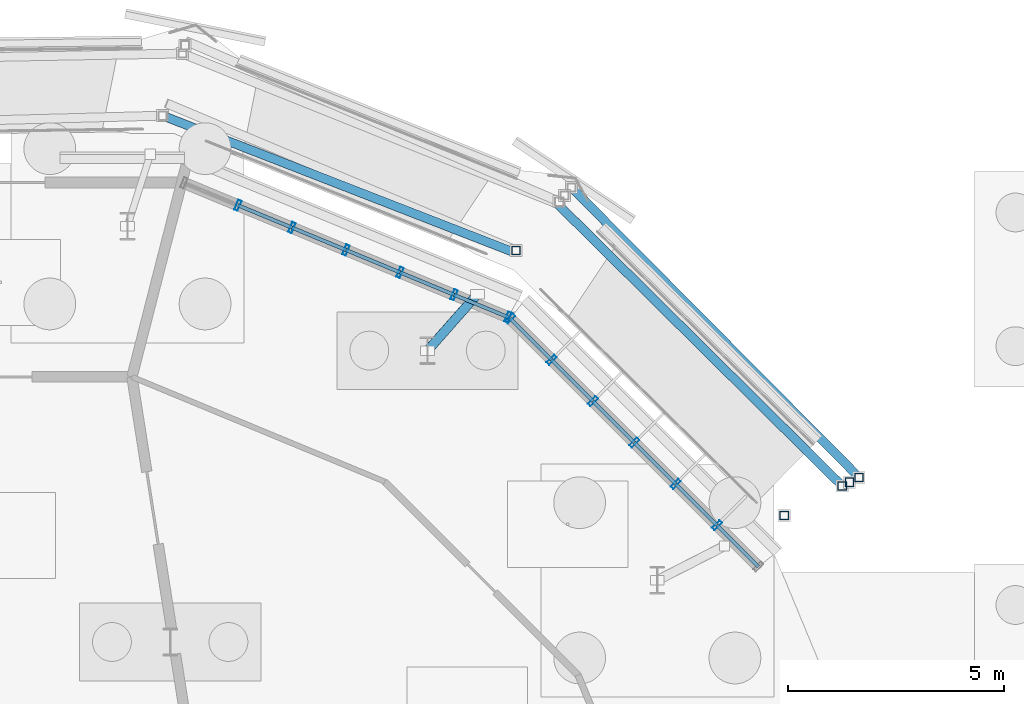
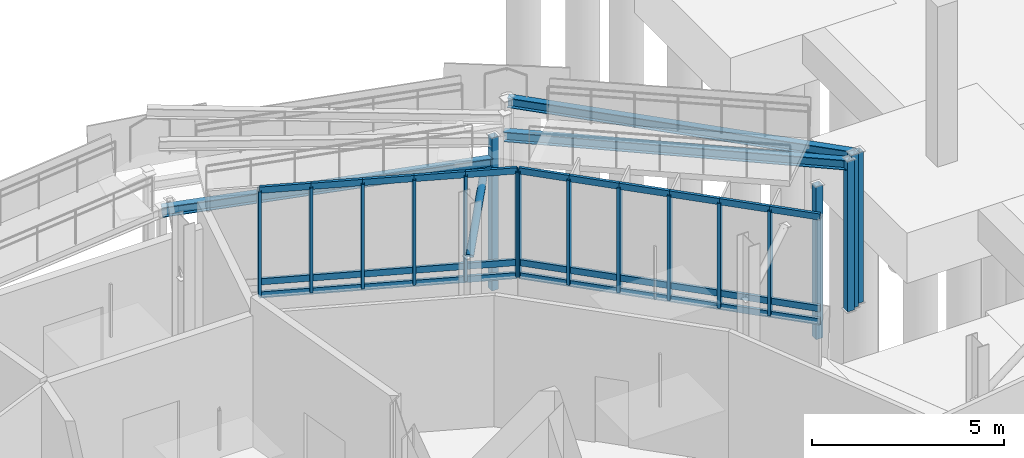
# One storey, part 54 of 119: 51 members, 3 beams, 2 elements without a shape of their own.
"""IFC4 building model written with IfcOpenShell, lengths in metres."""

from ifc_helpers import new_model, si_unit, derived_unit, direction, frame, origin, origin_2d, place, context, subcontext, project, spatial, hollow_rectangle, hollow_circle, i_section, extrude, material, layer, layer_set, material_profile, profile_set, type_object, element, aggregate, save


model = new_model("IFC4")

# Units and contexts
model_context = context("Model", 3, precision=1e-05, world=origin(), true_north=direction((0.0, 1.0)))
body_context = subcontext(model_context, "Body", "Model", "MODEL_VIEW")
ifc_project = project(units=[si_unit("LENGTHUNIT", "METRE"), si_unit("AREAUNIT", "SQUARE_METRE"), si_unit("VOLUMEUNIT", "CUBIC_METRE"), si_unit("PLANEANGLEUNIT", "RADIAN"), si_unit("MASSUNIT", "GRAM", prefix="KILO"), derived_unit("THERMALTRANSMITTANCEUNIT", [(si_unit("MASSUNIT", "GRAM", prefix="KILO"), 1), (si_unit("TIMEUNIT", "SECOND"), -3), (si_unit("THERMODYNAMICTEMPERATUREUNIT", "KELVIN"), -1)])], contexts=[model_context])

# Site, building, storey
site_placement = place(None, origin())
site = spatial("IfcSite", under=ifc_project, at=site_placement, CompositionType="ELEMENT")
building_placement = place(site_placement, origin())
building = spatial("IfcBuilding", under=site, at=building_placement, Name="Makaiwela Harbour Ferry Terminal", CompositionType="ELEMENT")
storey_placement = place(building_placement, origin())
storey = spatial("IfcBuildingStorey", under=building, at=storey_placement, Name="L00", CompositionType="ELEMENT", Elevation=0.0)

# Curtain wall, members
ifc_material_1 = material(Name="Marine anodised aluminium 6063-T6", Category="aluminium")
ifc_layer = layer(ifc_material_1, 0.199951171875)
ifc_layer_set = layer_set([ifc_layer], Name="Marine anodised aluminium 6063-T6")
curtain_wall_type = type_object("IfcCurtainWallType", Name="ENV-CW-01", PredefinedType="USERDEFINED", material=ifc_layer_set)
curtain_wall_1_placement = place(storey_placement, origin())
curtain_wall_1 = element("IfcCurtainWall", 1, at=curtain_wall_1_placement, inside=storey, type_object=curtain_wall_type, Name="Unitised Curtain Wall CWA-001", ObjectType="UNITIZED CURTAIN WALL", PredefinedType="USERDEFINED")
ifc_material_profile_1 = material_profile(ifc_material_1, hollow_rectangle(XDim=0.0849609375, YDim=0.25, WallThickness=0.0048828125, at=origin_2d()), Name="CWM-250X85")
ifc_profile_set_1 = profile_set([ifc_material_profile_1], Name="Marine anodised aluminium 6063-T6")
member_type_1 = type_object("IfcMemberType", Name="CW-MUL-250", PredefinedType="MULLION", material=ifc_profile_set_1)
member_1_placement = place(storey_placement, frame((54.531005859375, 80.0966796875, 1.47998046875), z_axis=(0.0, 0.0, 1.0), x_axis=(-0.707106781187, 0.707106781187, 0.0)))
member_1 = element("IfcMember", 2, at=member_1_placement, type_object=member_type_1, Name="Curtain Wall Mullion CWA-001-2", PredefinedType="MULLION", context=body_context, shape_type="SweptSolid", body=[
    extrude(hollow_rectangle(XDim=0.0849609375, YDim=0.25, WallThickness=0.0048828125, at=origin_2d()), origin(), (0.0, 0.0, 1.0), 3.340087890625),
])
member_2_placement = place(storey_placement, frame((53.572509765625, 81.055419921875, 1.47998046875), z_axis=(0.0, 0.0, 1.0), x_axis=(-0.707106781187, 0.707106781187, 0.0)))
member_2 = element("IfcMember", 3, at=member_2_placement, type_object=member_type_1, Name="Curtain Wall Mullion CWA-001-3", PredefinedType="MULLION", context=body_context, shape_type="SweptSolid", body=[
    extrude(hollow_rectangle(XDim=0.0849609375, YDim=0.25, WallThickness=0.0048828125, at=origin_2d()), origin(), (0.0, 0.0, 1.0), 3.340087890625),
])
member_3_placement = place(storey_placement, frame((52.614013671875, 82.013916015625, 1.47998046875), z_axis=(0.0, 0.0, 1.0), x_axis=(-0.707106781187, 0.707106781187, 0.0)))
member_3 = element("IfcMember", 4, at=member_3_placement, type_object=member_type_1, Name="Curtain Wall Mullion CWA-001-4", PredefinedType="MULLION", context=body_context, shape_type="SweptSolid", body=[
    extrude(hollow_rectangle(XDim=0.0849609375, YDim=0.25, WallThickness=0.0048828125, at=origin_2d()), origin(), (0.0, 0.0, 1.0), 3.340087890625),
])
member_4_placement = place(storey_placement, frame((51.655517578125, 82.972412109375, 1.47998046875), z_axis=(0.0, 0.0, 1.0), x_axis=(-0.707106781187, 0.707106781187, 0.0)))
member_4 = element("IfcMember", 5, at=member_4_placement, type_object=member_type_1, Name="Curtain Wall Mullion CWA-001-5", PredefinedType="MULLION", context=body_context, shape_type="SweptSolid", body=[
    extrude(hollow_rectangle(XDim=0.0849609375, YDim=0.25, WallThickness=0.0048828125, at=origin_2d()), origin(), (0.0, 0.0, 1.0), 3.340087890625),
])
member_5_placement = place(storey_placement, frame((50.69677734375, 83.93115234375, 1.47998046875), z_axis=(0.0, 0.0, 1.0), x_axis=(-0.707106781187, 0.707106781187, 0.0)))
member_5 = element("IfcMember", 6, at=member_5_placement, type_object=member_type_1, Name="Curtain Wall Mullion CWA-001-6", PredefinedType="MULLION", context=body_context, shape_type="SweptSolid", body=[
    extrude(hollow_rectangle(XDim=0.0849609375, YDim=0.25, WallThickness=0.0048828125, at=origin_2d()), origin(), (0.0, 0.0, 1.0), 3.340087890625),
])
member_6_placement = place(storey_placement, frame((49.73828125, 84.8896484375, 1.47998046875), z_axis=(0.0, 0.0, 1.0), x_axis=(-0.707106781187, 0.707106781187, 0.0)))
member_6 = element("IfcMember", 7, at=member_6_placement, type_object=member_type_1, Name="Curtain Wall Mullion CWA-001-7", PredefinedType="MULLION", context=body_context, shape_type="SweptSolid", body=[
    extrude(hollow_rectangle(XDim=0.0849609375, YDim=0.25, WallThickness=0.0048828125, at=origin_2d()), origin(), (0.0, 0.0, 1.0), 3.340087890625),
])

curtain_wall_2_placement = place(storey_placement, origin())
curtain_wall_2 = element("IfcCurtainWall", 8, at=curtain_wall_2_placement, inside=storey, type_object=curtain_wall_type, Name="Unitised Curtain Wall CWA-002", ObjectType="UNITIZED CURTAIN WALL", PredefinedType="USERDEFINED")
member_7_placement = place(storey_placement, frame((49.689208984375, 84.92236328125, 1.47998046875), z_axis=(0.0, 0.0, 1.0), x_axis=(-0.923879532511, 0.382683432365, 0.0)))
member_7 = element("IfcMember", 9, at=member_7_placement, type_object=member_type_1, Name="Curtain Wall Mullion CWA-002-1", PredefinedType="MULLION", context=body_context, shape_type="SweptSolid", body=[
    extrude(hollow_rectangle(XDim=0.0849609375, YDim=0.25, WallThickness=0.0048828125, at=origin_2d()), origin(), (0.0, 0.0, 1.0), 3.340087890625),
])
member_8_placement = place(storey_placement, frame((48.436767578125, 85.441162109375, 1.47998046875), z_axis=(0.0, 0.0, 1.0), x_axis=(-0.923879532511, 0.382683432365, 0.0)))
member_8 = element("IfcMember", 10, at=member_8_placement, type_object=member_type_1, Name="Curtain Wall Mullion CWA-002-2", PredefinedType="MULLION", context=body_context, shape_type="SweptSolid", body=[
    extrude(hollow_rectangle(XDim=0.0849609375, YDim=0.25, WallThickness=0.0048828125, at=origin_2d()), origin(), (0.0, 0.0, 1.0), 3.340087890625),
])
member_9_placement = place(storey_placement, frame((47.184326171875, 85.9599609375, 1.47998046875), z_axis=(0.0, 0.0, 1.0), x_axis=(-0.923879532511, 0.382683432365, 0.0)))
member_9 = element("IfcMember", 11, at=member_9_placement, type_object=member_type_1, Name="Curtain Wall Mullion CWA-002-3", PredefinedType="MULLION", context=body_context, shape_type="SweptSolid", body=[
    extrude(hollow_rectangle(XDim=0.0849609375, YDim=0.25, WallThickness=0.0048828125, at=origin_2d()), origin(), (0.0, 0.0, 1.0), 3.340087890625),
])
member_10_placement = place(storey_placement, frame((45.931884765625, 86.478759765625, 1.47998046875), z_axis=(0.0, 0.0, 1.0), x_axis=(-0.923879532511, 0.382683432365, 0.0)))
member_10 = element("IfcMember", 12, at=member_10_placement, type_object=member_type_1, Name="Curtain Wall Mullion CWA-002-4", PredefinedType="MULLION", context=body_context, shape_type="SweptSolid", body=[
    extrude(hollow_rectangle(XDim=0.0849609375, YDim=0.25, WallThickness=0.0048828125, at=origin_2d()), origin(), (0.0, 0.0, 1.0), 3.340087890625),
])
member_11_placement = place(storey_placement, frame((44.679443359375, 86.99755859375, 1.47998046875), z_axis=(0.0, 0.0, 1.0), x_axis=(-0.923879532511, 0.382683432365, 0.0)))
member_11 = element("IfcMember", 13, at=member_11_placement, type_object=member_type_1, Name="Curtain Wall Mullion CWA-002-5", PredefinedType="MULLION", context=body_context, shape_type="SweptSolid", body=[
    extrude(hollow_rectangle(XDim=0.0849609375, YDim=0.25, WallThickness=0.0048828125, at=origin_2d()), origin(), (0.0, 0.0, 1.0), 3.340087890625),
])
member_12_placement = place(storey_placement, frame((43.427001953125, 87.51611328125, 1.47998046875), z_axis=(0.0, 0.0, 1.0), x_axis=(-0.923879532511, 0.382683432365, 0.0)))
member_12 = element("IfcMember", 14, at=member_12_placement, type_object=member_type_1, Name="Curtain Wall Mullion CWA-002-6", PredefinedType="MULLION", context=body_context, shape_type="SweptSolid", body=[
    extrude(hollow_rectangle(XDim=0.0849609375, YDim=0.25, WallThickness=0.0048828125, at=origin_2d()), origin(), (0.0, 0.0, 1.0), 3.340087890625),
])

# Member
ifc_material_profile_2 = material_profile(ifc_material_1, hollow_rectangle(XDim=0.0849609375, YDim=0.199951171875, WallThickness=0.0048828125, at=origin_2d()), Name="CWT-200X85")
ifc_profile_set_2 = profile_set([ifc_material_profile_2], Name="Marine anodised aluminium 6063-T6")
member_type_2 = type_object("IfcMemberType", Name="CW-TRN-200", PredefinedType="USERDEFINED", material=ifc_profile_set_2)
member_13_placement = place(storey_placement, frame((55.48974609375, 79.13818359375, 1.47998046875), z_axis=(-0.707196818338, 0.707016732569, 0.0), x_axis=(-0.707016732569, -0.707196818338, 0.0)))
member_13 = element("IfcMember", 15, at=member_13_placement, type_object=member_type_2, Name="Curtain Wall Transom CWA-001-1-1", ObjectType="TRANSOM", PredefinedType="USERDEFINED", context=body_context, shape_type="SweptSolid", body=[
    extrude(hollow_rectangle(XDim=0.0849609375, YDim=0.199951171875, WallThickness=0.0048828125, at=origin_2d()), origin(), (0.0, 0.0, 1.0), 1.355712890625),
])

member_14_placement = place(storey_placement, frame((55.48974609375, 79.13818359375, 1.89990234375), z_axis=(-0.707196818338, 0.707016732569, 0.0), x_axis=(-0.707016732569, -0.707196818338, 0.0)))
member_14 = element("IfcMember", 16, at=member_14_placement, type_object=member_type_2, Name="Curtain Wall Transom CWA-001-1-2", ObjectType="TRANSOM", PredefinedType="USERDEFINED", context=body_context, shape_type="SweptSolid", body=[
    extrude(hollow_rectangle(XDim=0.0849609375, YDim=0.199951171875, WallThickness=0.0048828125, at=origin_2d()), origin(), (0.0, 0.0, 1.0), 1.355712890625),
])

member_15_placement = place(storey_placement, frame((55.48974609375, 79.13818359375, 4.820068359375), z_axis=(-0.707196818338, 0.707016732569, 0.0), x_axis=(-0.707016732569, -0.707196818338, 0.0)))
member_15 = element("IfcMember", 17, at=member_15_placement, type_object=member_type_2, Name="Curtain Wall Transom CWA-001-1-3", ObjectType="TRANSOM", PredefinedType="USERDEFINED", context=body_context, shape_type="SweptSolid", body=[
    extrude(hollow_rectangle(XDim=0.0849609375, YDim=0.199951171875, WallThickness=0.0048828125, at=origin_2d()), origin(), (0.0, 0.0, 1.0), 1.355712890625),
])

member_16_placement = place(storey_placement, frame((54.531005859375, 80.0966796875, 1.47998046875), z_axis=(-0.707016732569, 0.707196818338, 0.0), x_axis=(-0.707196818338, -0.707016732569, 0.0)))
member_16 = element("IfcMember", 18, at=member_16_placement, type_object=member_type_2, Name="Curtain Wall Transom CWA-001-2-1", ObjectType="TRANSOM", PredefinedType="USERDEFINED", context=body_context, shape_type="SweptSolid", body=[
    extrude(hollow_rectangle(XDim=0.0849609375, YDim=0.199951171875, WallThickness=0.0048828125, at=origin_2d()), origin(), (0.0, 0.0, 1.0), 1.355712890625),
])

member_17_placement = place(storey_placement, frame((54.531005859375, 80.0966796875, 1.89990234375), z_axis=(-0.707016732569, 0.707196818338, 0.0), x_axis=(-0.707196818338, -0.707016732569, 0.0)))
member_17 = element("IfcMember", 19, at=member_17_placement, type_object=member_type_2, Name="Curtain Wall Transom CWA-001-2-2", ObjectType="TRANSOM", PredefinedType="USERDEFINED", context=body_context, shape_type="SweptSolid", body=[
    extrude(hollow_rectangle(XDim=0.0849609375, YDim=0.199951171875, WallThickness=0.0048828125, at=origin_2d()), origin(), (0.0, 0.0, 1.0), 1.355712890625),
])

member_18_placement = place(storey_placement, frame((54.531005859375, 80.0966796875, 4.820068359375), z_axis=(-0.707016732569, 0.707196818338, 0.0), x_axis=(-0.707196818338, -0.707016732569, 0.0)))
member_18 = element("IfcMember", 20, at=member_18_placement, type_object=member_type_2, Name="Curtain Wall Transom CWA-001-2-3", ObjectType="TRANSOM", PredefinedType="USERDEFINED", context=body_context, shape_type="SweptSolid", body=[
    extrude(hollow_rectangle(XDim=0.0849609375, YDim=0.199951171875, WallThickness=0.0048828125, at=origin_2d()), origin(), (0.0, 0.0, 1.0), 1.355712890625),
])

member_19_placement = place(storey_placement, frame((53.572509765625, 81.055419921875, 1.47998046875), z_axis=(-0.707106781187, 0.707106781187, 0.0), x_axis=(-0.707106781187, -0.707106781187, 0.0)))
member_19 = element("IfcMember", 21, at=member_19_placement, type_object=member_type_2, Name="Curtain Wall Transom CWA-001-3-1", ObjectType="TRANSOM", PredefinedType="USERDEFINED", context=body_context, shape_type="SweptSolid", body=[
    extrude(hollow_rectangle(XDim=0.0849609375, YDim=0.199951171875, WallThickness=0.0048828125, at=origin_2d()), origin(), (0.0, 0.0, 1.0), 1.35546875),
])

member_20_placement = place(storey_placement, frame((53.572509765625, 81.055419921875, 1.89990234375), z_axis=(-0.707106781187, 0.707106781187, 0.0), x_axis=(-0.707106781187, -0.707106781187, 0.0)))
member_20 = element("IfcMember", 22, at=member_20_placement, type_object=member_type_2, Name="Curtain Wall Transom CWA-001-3-2", ObjectType="TRANSOM", PredefinedType="USERDEFINED", context=body_context, shape_type="SweptSolid", body=[
    extrude(hollow_rectangle(XDim=0.0849609375, YDim=0.199951171875, WallThickness=0.0048828125, at=origin_2d()), origin(), (0.0, 0.0, 1.0), 1.35546875),
])

member_21_placement = place(storey_placement, frame((53.572509765625, 81.055419921875, 4.820068359375), z_axis=(-0.707106781187, 0.707106781187, 0.0), x_axis=(-0.707106781187, -0.707106781187, 0.0)))
member_21 = element("IfcMember", 23, at=member_21_placement, type_object=member_type_2, Name="Curtain Wall Transom CWA-001-3-3", ObjectType="TRANSOM", PredefinedType="USERDEFINED", context=body_context, shape_type="SweptSolid", body=[
    extrude(hollow_rectangle(XDim=0.0849609375, YDim=0.199951171875, WallThickness=0.0048828125, at=origin_2d()), origin(), (0.0, 0.0, 1.0), 1.35546875),
])

member_22_placement = place(storey_placement, frame((52.614013671875, 82.013916015625, 1.47998046875), z_axis=(-0.707106781187, 0.707106781187, 0.0), x_axis=(-0.707106781187, -0.707106781187, 0.0)))
member_22 = element("IfcMember", 24, at=member_22_placement, type_object=member_type_2, Name="Curtain Wall Transom CWA-001-4-1", ObjectType="TRANSOM", PredefinedType="USERDEFINED", context=body_context, shape_type="SweptSolid", body=[
    extrude(hollow_rectangle(XDim=0.0849609375, YDim=0.199951171875, WallThickness=0.0048828125, at=origin_2d()), origin(), (0.0, 0.0, 1.0), 1.35546875),
])

member_23_placement = place(storey_placement, frame((52.614013671875, 82.013916015625, 1.89990234375), z_axis=(-0.707106781187, 0.707106781187, 0.0), x_axis=(-0.707106781187, -0.707106781187, 0.0)))
member_23 = element("IfcMember", 25, at=member_23_placement, type_object=member_type_2, Name="Curtain Wall Transom CWA-001-4-2", ObjectType="TRANSOM", PredefinedType="USERDEFINED", context=body_context, shape_type="SweptSolid", body=[
    extrude(hollow_rectangle(XDim=0.0849609375, YDim=0.199951171875, WallThickness=0.0048828125, at=origin_2d()), origin(), (0.0, 0.0, 1.0), 1.35546875),
])

member_24_placement = place(storey_placement, frame((52.614013671875, 82.013916015625, 4.820068359375), z_axis=(-0.707106781187, 0.707106781187, 0.0), x_axis=(-0.707106781187, -0.707106781187, 0.0)))
member_24 = element("IfcMember", 26, at=member_24_placement, type_object=member_type_2, Name="Curtain Wall Transom CWA-001-4-3", ObjectType="TRANSOM", PredefinedType="USERDEFINED", context=body_context, shape_type="SweptSolid", body=[
    extrude(hollow_rectangle(XDim=0.0849609375, YDim=0.199951171875, WallThickness=0.0048828125, at=origin_2d()), origin(), (0.0, 0.0, 1.0), 1.35546875),
])

member_25_placement = place(storey_placement, frame((51.655517578125, 82.972412109375, 1.47998046875), z_axis=(-0.707106781187, 0.707106781187, 0.0), x_axis=(-0.707106781187, -0.707106781187, 0.0)))
member_25 = element("IfcMember", 27, at=member_25_placement, type_object=member_type_2, Name="Curtain Wall Transom CWA-001-5-1", ObjectType="TRANSOM", PredefinedType="USERDEFINED", context=body_context, shape_type="SweptSolid", body=[
    extrude(hollow_rectangle(XDim=0.0849609375, YDim=0.199951171875, WallThickness=0.0048828125, at=origin_2d()), origin(), (0.0, 0.0, 1.0), 1.35595703125),
])

member_26_placement = place(storey_placement, frame((51.655517578125, 82.972412109375, 1.89990234375), z_axis=(-0.707106781187, 0.707106781187, 0.0), x_axis=(-0.707106781187, -0.707106781187, 0.0)))
member_26 = element("IfcMember", 28, at=member_26_placement, type_object=member_type_2, Name="Curtain Wall Transom CWA-001-5-2", ObjectType="TRANSOM", PredefinedType="USERDEFINED", context=body_context, shape_type="SweptSolid", body=[
    extrude(hollow_rectangle(XDim=0.0849609375, YDim=0.199951171875, WallThickness=0.0048828125, at=origin_2d()), origin(), (0.0, 0.0, 1.0), 1.35595703125),
])

member_27_placement = place(storey_placement, frame((51.655517578125, 82.972412109375, 4.820068359375), z_axis=(-0.707106781187, 0.707106781187, 0.0), x_axis=(-0.707106781187, -0.707106781187, 0.0)))
member_27 = element("IfcMember", 29, at=member_27_placement, type_object=member_type_2, Name="Curtain Wall Transom CWA-001-5-3", ObjectType="TRANSOM", PredefinedType="USERDEFINED", context=body_context, shape_type="SweptSolid", body=[
    extrude(hollow_rectangle(XDim=0.0849609375, YDim=0.199951171875, WallThickness=0.0048828125, at=origin_2d()), origin(), (0.0, 0.0, 1.0), 1.35595703125),
])

member_28_placement = place(storey_placement, frame((50.69677734375, 83.93115234375, 1.47998046875), z_axis=(-0.707106781187, 0.707106781187, 0.0), x_axis=(-0.707106781187, -0.707106781187, 0.0)))
member_28 = element("IfcMember", 30, at=member_28_placement, type_object=member_type_2, Name="Curtain Wall Transom CWA-001-6-1", ObjectType="TRANSOM", PredefinedType="USERDEFINED", context=body_context, shape_type="SweptSolid", body=[
    extrude(hollow_rectangle(XDim=0.0849609375, YDim=0.199951171875, WallThickness=0.0048828125, at=origin_2d()), origin(), (0.0, 0.0, 1.0), 1.35546875),
])

member_29_placement = place(storey_placement, frame((50.69677734375, 83.93115234375, 1.89990234375), z_axis=(-0.707106781187, 0.707106781187, 0.0), x_axis=(-0.707106781187, -0.707106781187, 0.0)))
member_29 = element("IfcMember", 31, at=member_29_placement, type_object=member_type_2, Name="Curtain Wall Transom CWA-001-6-2", ObjectType="TRANSOM", PredefinedType="USERDEFINED", context=body_context, shape_type="SweptSolid", body=[
    extrude(hollow_rectangle(XDim=0.0849609375, YDim=0.199951171875, WallThickness=0.0048828125, at=origin_2d()), origin(), (0.0, 0.0, 1.0), 1.35546875),
])

member_30_placement = place(storey_placement, frame((50.69677734375, 83.93115234375, 4.820068359375), z_axis=(-0.707106781187, 0.707106781187, 0.0), x_axis=(-0.707106781187, -0.707106781187, 0.0)))
member_30 = element("IfcMember", 32, at=member_30_placement, type_object=member_type_2, Name="Curtain Wall Transom CWA-001-6-3", ObjectType="TRANSOM", PredefinedType="USERDEFINED", context=body_context, shape_type="SweptSolid", body=[
    extrude(hollow_rectangle(XDim=0.0849609375, YDim=0.199951171875, WallThickness=0.0048828125, at=origin_2d()), origin(), (0.0, 0.0, 1.0), 1.35546875),
])

aggregate(curtain_wall_1, [member_1, member_2, member_3, member_4, member_5, member_6, member_13, member_14, member_15, member_16, member_17, member_18, member_19, member_20, member_21, member_22, member_23, member_24, member_25, member_26, member_27, member_28, member_29, member_30])

member_31_placement = place(storey_placement, frame((49.689208984375, 84.92236328125, 1.47998046875), z_axis=(-0.923874156886, 0.382696410016, 0.0), x_axis=(-0.382696410016, -0.923874156886, 0.0)))
member_31 = element("IfcMember", 33, at=member_31_placement, type_object=member_type_2, Name="Curtain Wall Transom CWA-002-1-1", ObjectType="TRANSOM", PredefinedType="USERDEFINED", context=body_context, shape_type="SweptSolid", body=[
    extrude(hollow_rectangle(XDim=0.0849609375, YDim=0.199951171875, WallThickness=0.0048828125, at=origin_2d()), origin(), (0.0, 0.0, 1.0), 1.355712890625),
])

member_32_placement = place(storey_placement, frame((49.689208984375, 84.92236328125, 1.89990234375), z_axis=(-0.923874156886, 0.382696410016, 0.0), x_axis=(-0.382696410016, -0.923874156886, 0.0)))
member_32 = element("IfcMember", 34, at=member_32_placement, type_object=member_type_2, Name="Curtain Wall Transom CWA-002-1-2", ObjectType="TRANSOM", PredefinedType="USERDEFINED", context=body_context, shape_type="SweptSolid", body=[
    extrude(hollow_rectangle(XDim=0.0849609375, YDim=0.199951171875, WallThickness=0.0048828125, at=origin_2d()), origin(), (0.0, 0.0, 1.0), 1.355712890625),
])

member_33_placement = place(storey_placement, frame((49.689208984375, 84.92236328125, 4.820068359375), z_axis=(-0.923874156886, 0.382696410016, 0.0), x_axis=(-0.382696410016, -0.923874156886, 0.0)))
member_33 = element("IfcMember", 35, at=member_33_placement, type_object=member_type_2, Name="Curtain Wall Transom CWA-002-1-3", ObjectType="TRANSOM", PredefinedType="USERDEFINED", context=body_context, shape_type="SweptSolid", body=[
    extrude(hollow_rectangle(XDim=0.0849609375, YDim=0.199951171875, WallThickness=0.0048828125, at=origin_2d()), origin(), (0.0, 0.0, 1.0), 1.355712890625),
])

member_34_placement = place(storey_placement, frame((48.436767578125, 85.441162109375, 1.47998046875), z_axis=(-0.923874156886, 0.382696410016, 0.0), x_axis=(-0.382696410016, -0.923874156886, 0.0)))
member_34 = element("IfcMember", 36, at=member_34_placement, type_object=member_type_2, Name="Curtain Wall Transom CWA-002-2-1", ObjectType="TRANSOM", PredefinedType="USERDEFINED", context=body_context, shape_type="SweptSolid", body=[
    extrude(hollow_rectangle(XDim=0.0849609375, YDim=0.199951171875, WallThickness=0.0048828125, at=origin_2d()), origin(), (0.0, 0.0, 1.0), 1.355712890625),
])

member_35_placement = place(storey_placement, frame((48.436767578125, 85.441162109375, 1.89990234375), z_axis=(-0.923874156886, 0.382696410016, 0.0), x_axis=(-0.382696410016, -0.923874156886, 0.0)))
member_35 = element("IfcMember", 37, at=member_35_placement, type_object=member_type_2, Name="Curtain Wall Transom CWA-002-2-2", ObjectType="TRANSOM", PredefinedType="USERDEFINED", context=body_context, shape_type="SweptSolid", body=[
    extrude(hollow_rectangle(XDim=0.0849609375, YDim=0.199951171875, WallThickness=0.0048828125, at=origin_2d()), origin(), (0.0, 0.0, 1.0), 1.355712890625),
])

member_36_placement = place(storey_placement, frame((48.436767578125, 85.441162109375, 4.820068359375), z_axis=(-0.923874156886, 0.382696410016, 0.0), x_axis=(-0.382696410016, -0.923874156886, 0.0)))
member_36 = element("IfcMember", 38, at=member_36_placement, type_object=member_type_2, Name="Curtain Wall Transom CWA-002-2-3", ObjectType="TRANSOM", PredefinedType="USERDEFINED", context=body_context, shape_type="SweptSolid", body=[
    extrude(hollow_rectangle(XDim=0.0849609375, YDim=0.199951171875, WallThickness=0.0048828125, at=origin_2d()), origin(), (0.0, 0.0, 1.0), 1.355712890625),
])

member_37_placement = place(storey_placement, frame((47.184326171875, 85.9599609375, 1.47998046875), z_axis=(-0.923874156886, 0.382696410016, 0.0), x_axis=(-0.382696410016, -0.923874156886, 0.0)))
member_37 = element("IfcMember", 39, at=member_37_placement, type_object=member_type_2, Name="Curtain Wall Transom CWA-002-3-1", ObjectType="TRANSOM", PredefinedType="USERDEFINED", context=body_context, shape_type="SweptSolid", body=[
    extrude(hollow_rectangle(XDim=0.0849609375, YDim=0.199951171875, WallThickness=0.0048828125, at=origin_2d()), origin(), (0.0, 0.0, 1.0), 1.355712890625),
])

member_38_placement = place(storey_placement, frame((47.184326171875, 85.9599609375, 1.89990234375), z_axis=(-0.923874156886, 0.382696410016, 0.0), x_axis=(-0.382696410016, -0.923874156886, 0.0)))
member_38 = element("IfcMember", 40, at=member_38_placement, type_object=member_type_2, Name="Curtain Wall Transom CWA-002-3-2", ObjectType="TRANSOM", PredefinedType="USERDEFINED", context=body_context, shape_type="SweptSolid", body=[
    extrude(hollow_rectangle(XDim=0.0849609375, YDim=0.199951171875, WallThickness=0.0048828125, at=origin_2d()), origin(), (0.0, 0.0, 1.0), 1.355712890625),
])

member_39_placement = place(storey_placement, frame((47.184326171875, 85.9599609375, 4.820068359375), z_axis=(-0.923874156886, 0.382696410016, 0.0), x_axis=(-0.382696410016, -0.923874156886, 0.0)))
member_39 = element("IfcMember", 41, at=member_39_placement, type_object=member_type_2, Name="Curtain Wall Transom CWA-002-3-3", ObjectType="TRANSOM", PredefinedType="USERDEFINED", context=body_context, shape_type="SweptSolid", body=[
    extrude(hollow_rectangle(XDim=0.0849609375, YDim=0.199951171875, WallThickness=0.0048828125, at=origin_2d()), origin(), (0.0, 0.0, 1.0), 1.355712890625),
])

member_40_placement = place(storey_placement, frame((45.931884765625, 86.478759765625, 1.47998046875), z_axis=(-0.923874156886, 0.382696410016, 0.0), x_axis=(-0.382696410016, -0.923874156886, 0.0)))
member_40 = element("IfcMember", 42, at=member_40_placement, type_object=member_type_2, Name="Curtain Wall Transom CWA-002-4-1", ObjectType="TRANSOM", PredefinedType="USERDEFINED", context=body_context, shape_type="SweptSolid", body=[
    extrude(hollow_rectangle(XDim=0.0849609375, YDim=0.199951171875, WallThickness=0.0048828125, at=origin_2d()), origin(), (0.0, 0.0, 1.0), 1.355712890625),
])

member_41_placement = place(storey_placement, frame((45.931884765625, 86.478759765625, 1.89990234375), z_axis=(-0.923874156886, 0.382696410016, 0.0), x_axis=(-0.382696410016, -0.923874156886, 0.0)))
member_41 = element("IfcMember", 43, at=member_41_placement, type_object=member_type_2, Name="Curtain Wall Transom CWA-002-4-2", ObjectType="TRANSOM", PredefinedType="USERDEFINED", context=body_context, shape_type="SweptSolid", body=[
    extrude(hollow_rectangle(XDim=0.0849609375, YDim=0.199951171875, WallThickness=0.0048828125, at=origin_2d()), origin(), (0.0, 0.0, 1.0), 1.355712890625),
])

member_42_placement = place(storey_placement, frame((45.931884765625, 86.478759765625, 4.820068359375), z_axis=(-0.923874156886, 0.382696410016, 0.0), x_axis=(-0.382696410016, -0.923874156886, 0.0)))
member_42 = element("IfcMember", 44, at=member_42_placement, type_object=member_type_2, Name="Curtain Wall Transom CWA-002-4-3", ObjectType="TRANSOM", PredefinedType="USERDEFINED", context=body_context, shape_type="SweptSolid", body=[
    extrude(hollow_rectangle(XDim=0.0849609375, YDim=0.199951171875, WallThickness=0.0048828125, at=origin_2d()), origin(), (0.0, 0.0, 1.0), 1.355712890625),
])

member_43_placement = place(storey_placement, frame((44.679443359375, 86.99755859375, 1.47998046875), z_axis=(-0.923937822561, 0.382542677411, 0.0), x_axis=(-0.382542677411, -0.923937822561, 0.0)))
member_43 = element("IfcMember", 45, at=member_43_placement, type_object=member_type_2, Name="Curtain Wall Transom CWA-002-5-1", ObjectType="TRANSOM", PredefinedType="USERDEFINED", context=body_context, shape_type="SweptSolid", body=[
    extrude(hollow_rectangle(XDim=0.0849609375, YDim=0.199951171875, WallThickness=0.0048828125, at=origin_2d()), origin(), (0.0, 0.0, 1.0), 1.35546875),
])

member_44_placement = place(storey_placement, frame((44.679443359375, 86.99755859375, 1.89990234375), z_axis=(-0.923937822561, 0.382542677411, 0.0), x_axis=(-0.382542677411, -0.923937822561, 0.0)))
member_44 = element("IfcMember", 46, at=member_44_placement, type_object=member_type_2, Name="Curtain Wall Transom CWA-002-5-2", ObjectType="TRANSOM", PredefinedType="USERDEFINED", context=body_context, shape_type="SweptSolid", body=[
    extrude(hollow_rectangle(XDim=0.0849609375, YDim=0.199951171875, WallThickness=0.0048828125, at=origin_2d()), origin(), (0.0, 0.0, 1.0), 1.35546875),
])

member_45_placement = place(storey_placement, frame((44.679443359375, 86.99755859375, 4.820068359375), z_axis=(-0.923937822561, 0.382542677411, 0.0), x_axis=(-0.382542677411, -0.923937822561, 0.0)))
member_45 = element("IfcMember", 47, at=member_45_placement, type_object=member_type_2, Name="Curtain Wall Transom CWA-002-5-3", ObjectType="TRANSOM", PredefinedType="USERDEFINED", context=body_context, shape_type="SweptSolid", body=[
    extrude(hollow_rectangle(XDim=0.0849609375, YDim=0.199951171875, WallThickness=0.0048828125, at=origin_2d()), origin(), (0.0, 0.0, 1.0), 1.35546875),
])

aggregate(curtain_wall_2, [member_7, member_8, member_9, member_10, member_11, member_12, member_31, member_32, member_33, member_34, member_35, member_36, member_37, member_38, member_39, member_40, member_41, member_42, member_43, member_44, member_45])

# Beams
ifc_material_2 = material(Name="Steel ASTM A992 Grade 50", Category="steel")
ifc_material_profile_3 = material_profile(ifc_material_2, i_section(OverallWidth=0.205078125, OverallDepth=0.31005859375, WebThickness=0.009521484375, FlangeThickness=0.016357421875, at=origin_2d()), Name="W12X50")
ifc_profile_set_3 = profile_set([ifc_material_profile_3], Name="Steel ASTM A992 Grade 50")
beam_type = type_object("IfcBeamType", Name="STR-LNT-W12X50", PredefinedType="LINTEL", material=ifc_profile_set_3)
beam_1_placement = place(storey_placement, frame((57.82470703125, 81.208984375, 4.68701171875), z_axis=(-0.704224070133, 0.709977787713, 0.0), x_axis=(-0.709977787713, -0.704224070133, 0.0)))
element("IfcBeam", 48, at=beam_1_placement, inside=storey, type_object=beam_type, Name="Ramp Balcony Edge Beam L01-OUT", PredefinedType="LINTEL", context=body_context, shape_type="SweptSolid", body=[
    extrude(i_section(OverallWidth=0.205078125, OverallDepth=0.31005859375, WebThickness=0.009521484375, FlangeThickness=0.016357421875, at=origin_2d()), origin(), (0.0, 0.0, 1.0), 9.46240234375),
])
beam_2_placement = place(storey_placement, frame((41.68115234375, 89.594482421875, 3.4951171875), z_axis=(0.929475607902, -0.361651420338, 0.072686618313), x_axis=(0.362610587241, 0.931940750274, 0.0)))
element("IfcBeam", 49, at=beam_2_placement, inside=storey, type_object=beam_type, Name="Coiled Ramp Stringer L00-F7-IN", PredefinedType="LINTEL", context=body_context, shape_type="SweptSolid", body=[
    extrude(i_section(OverallWidth=0.205078125, OverallDepth=0.31005859375, WebThickness=0.009521484375, FlangeThickness=0.016357421875, at=origin_2d()), origin(), (0.0, 0.0, 1.0), 8.769775390625),
])
beam_3_placement = place(storey_placement, frame((50.830078125, 87.55224609375, 3.943603515625), z_axis=(0.708251636719, -0.701445300532, 0.07971266804), x_axis=(0.70368450743, 0.71051257132, 0.0)))
element("IfcBeam", 50, at=beam_3_placement, inside=storey, type_object=beam_type, Name="Coiled Ramp Stringer L00-F8-OUT", PredefinedType="LINTEL", context=body_context, shape_type="SweptSolid", body=[
    extrude(i_section(OverallWidth=0.205078125, OverallDepth=0.31005859375, WebThickness=0.009521484375, FlangeThickness=0.016357421875, at=origin_2d()), origin(), (0.0, 0.0, 1.0), 9.326171875),
])

# Members
ifc_material_3 = material(Name="Steel ASTM A500 Grade C", Category="steel")
ifc_material_profile_4 = material_profile(ifc_material_3, hollow_rectangle(XDim=0.202880859375, YDim=0.202880859375, WallThickness=0.01171875, at=origin_2d()), Name="HSS8X8X1/2")
ifc_profile_set_4 = profile_set([ifc_material_profile_4], Name="Steel ASTM A500 Grade C")
member_type_3 = type_object("IfcMemberType", Name="STR-PST-HSS8", PredefinedType="POST", material=ifc_profile_set_4)
for number, where, z_axis, x_axis, name in (
    (51, (49.874755859375, 86.470703125, 0.050048828125), (0.0, 0.0, 1.0), (1.0, 0.0, 0.0), "Exterior Ramp Support Post RP-0098"),
    (52, (56.09033203125, 80.32421875, 0.050048828125), (0.0, 0.0, 1.0), (1.0, 0.0, 0.0), "Exterior Ramp Support Post RP-0108"),
):
    element("IfcMember", number, at=place(storey_placement, frame(where, z_axis=z_axis, x_axis=x_axis)), inside=storey, type_object=member_type_3, Name=name, PredefinedType="POST", context=body_context, shape_type="SweptSolid", body=[
        extrude(hollow_rectangle(XDim=0.202880859375, YDim=0.202880859375, WallThickness=0.01171875, at=origin_2d()), origin(), (0.0, 0.0, 1.0), 4.875),
    ])
member_46_placement = place(storey_placement, frame((57.435302734375, 81.010498046875, 0.050048828125), z_axis=(0.0, 0.0, 1.0), x_axis=(1.0, 0.0, 0.0)))
element("IfcMember", 53, at=member_46_placement, inside=storey, type_object=member_type_3, Name="Exterior Ramp Support Post RP-0112", PredefinedType="POST", context=body_context, shape_type="SweptSolid", body=[
    extrude(hollow_rectangle(XDim=0.202880859375, YDim=0.202880859375, WallThickness=0.01171875, at=origin_2d()), origin(), (0.0, 0.0, 1.0), 4.7919921875),
])
member_47_placement = place(storey_placement, frame((57.603759765625, 81.096435546875, 0.050048828125), z_axis=(0.0, 0.0, 1.0), x_axis=(1.0, 0.0, 0.0)))
element("IfcMember", 54, at=member_47_placement, inside=storey, type_object=member_type_3, Name="Exterior Ramp Support Post RP-0113", PredefinedType="POST", context=body_context, shape_type="SweptSolid", body=[
    extrude(hollow_rectangle(XDim=0.202880859375, YDim=0.202880859375, WallThickness=0.01171875, at=origin_2d()), origin(), (0.0, 0.0, 1.0), 4.875),
])
member_48_placement = place(storey_placement, frame((57.82470703125, 81.208984375, 0.050048828125), z_axis=(0.0, 0.0, 1.0), x_axis=(1.0, 0.0, 0.0)))
element("IfcMember", 55, at=member_48_placement, inside=storey, type_object=member_type_3, Name="Exterior Ramp Support Post RP-0114", PredefinedType="POST", context=body_context, shape_type="SweptSolid", body=[
    extrude(hollow_rectangle(XDim=0.202880859375, YDim=0.202880859375, WallThickness=0.01171875, at=origin_2d()), origin(), (0.0, 0.0, 1.0), 4.800048828125),
])
ifc_material_profile_5 = material_profile(ifc_material_3, hollow_circle(Radius=0.109619140625, WallThickness=0.00830078125, at=origin_2d()), Name="PIPE8STD")
ifc_profile_set_5 = profile_set([ifc_material_profile_5], Name="Steel ASTM A500 Grade C")
member_type_4 = type_object("IfcMemberType", Name="STR-STT-PIPE8", PredefinedType="STRUT", material=ifc_profile_set_5)
member_49_placement = place(storey_placement, frame((47.822509765625, 84.1474609375, 3.199951171875), z_axis=(0.52966930722, 0.599659329481, 0.59988258314), x_axis=(-0.74949167169, 0.662013771811, 0.0)))
element("IfcMember", 56, at=member_49_placement, inside=storey, type_object=member_type_4, Name="Structural Member SR-02", PredefinedType="STRUT", context=body_context, shape_type="SweptSolid", body=[
    extrude(hollow_circle(Radius=0.109619140625, WallThickness=0.00830078125, at=origin_2d()), origin(), (0.0, 0.0, 1.0), 2.18701171875),
])

save(model, "model.ifc")
